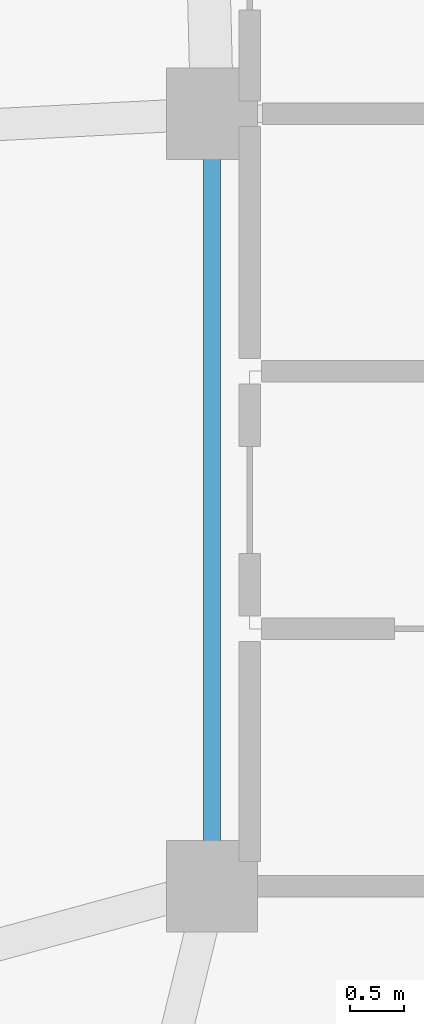
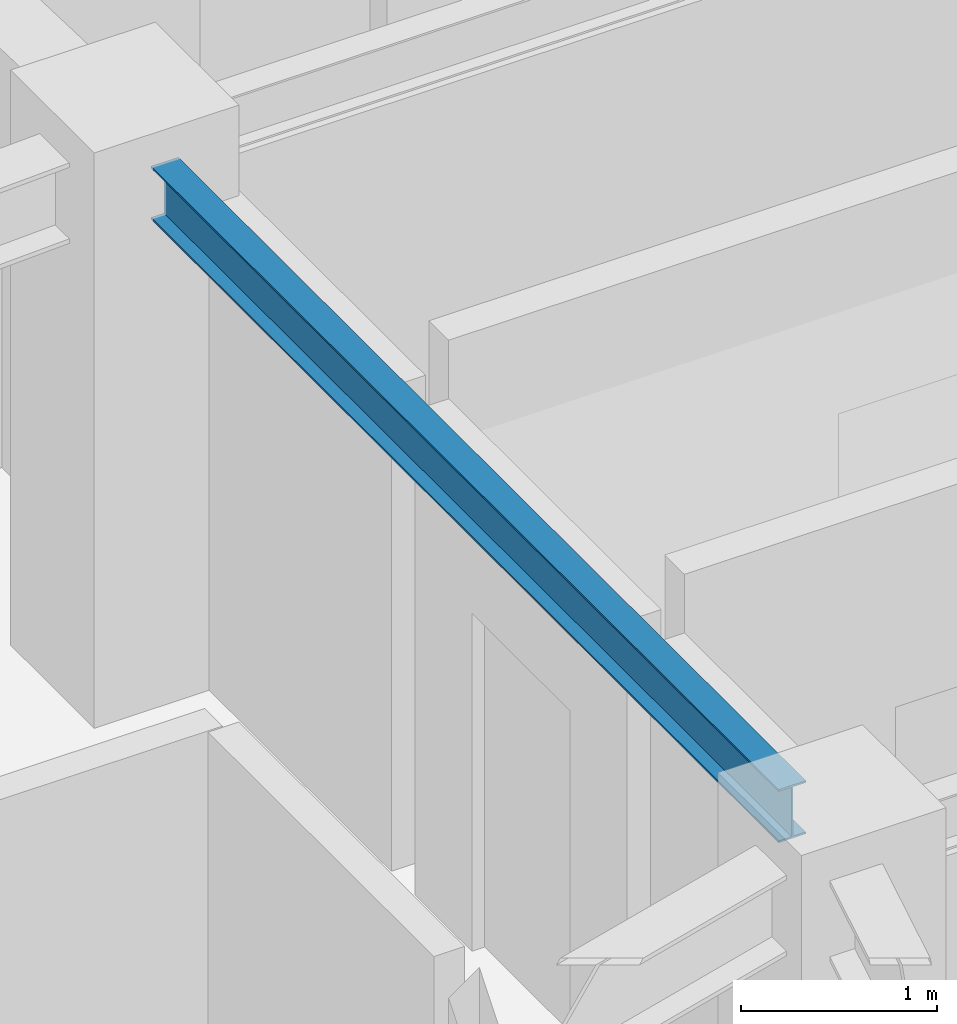
# One storey, part 6 of 28: 1 beam.
"""IFC4 building model written with IfcOpenShell, lengths in metres."""

from ifc_helpers import new_model, si_unit, direction, frame, origin, origin_2d, place, context, subcontext, project, spatial, i_section, extrude, material, material_profile, profile_set, type_object, element, save


model = new_model("IFC4")

# Units and contexts
model_context = context("Model", 3, precision=1e-05, world=origin(), true_north=direction((0.0, 1.0)))
body_context = subcontext(model_context, "Body", "Model", "MODEL_VIEW")
ifc_project = project(units=[si_unit("LENGTHUNIT", "METRE"), si_unit("AREAUNIT", "SQUARE_METRE"), si_unit("VOLUMEUNIT", "CUBIC_METRE"), si_unit("PLANEANGLEUNIT", "RADIAN"), si_unit("MASSUNIT", "GRAM", prefix="KILO")], contexts=[model_context])

# Site, building, storey
site_placement = place(None, origin())
site = spatial("IfcSite", under=ifc_project, at=site_placement, CompositionType="ELEMENT")
building_placement = place(site_placement, origin())
building = spatial("IfcBuilding", under=site, at=building_placement, Name="Varnakorn Sky Granary", CompositionType="ELEMENT")
storey_placement = place(building_placement, frame((0.0, 0.0, 214.800048828125)))
storey = spatial("IfcBuildingStorey", under=building, at=storey_placement, Name="L54", CompositionType="ELEMENT", Elevation=214.800048828125)

# Beam
ifc_material = material(Name="Steel S355JR", Category="steel")
ifc_material_profile = material_profile(ifc_material, i_section(OverallWidth=0.159912109375, OverallDepth=0.330078125, WebThickness=0.007568359375, FlangeThickness=0.011474609375, at=origin_2d()), Name="IPE 330")
ifc_profile_set = profile_set([ifc_material_profile], Name="Steel S355JR")
beam_type = type_object("IfcBeamType", Name="BM-SEC-Z4", PredefinedType="BEAM", material=ifc_profile_set)
beam_placement = place(storey_placement, frame((-2.35009765625, 0.195068359375, 3.195068359375), z_axis=(0.0, -1.0, 0.0), x_axis=(1.0, 0.0, 0.0)))
element("IfcBeam", 1, at=beam_placement, inside=storey, type_object=beam_type, Name="Core Spine Framing Beam 3 L54", PredefinedType="BEAM", context=body_context, shape_type="SweptSolid", body=[
    extrude(i_section(OverallWidth=0.159912109375, OverallDepth=0.330078125, WebThickness=0.007568359375, FlangeThickness=0.011474609375, at=origin_2d()), origin(), (0.0, 0.0, 1.0), 6.39013671875),
])

save(model, "model.ifc")
